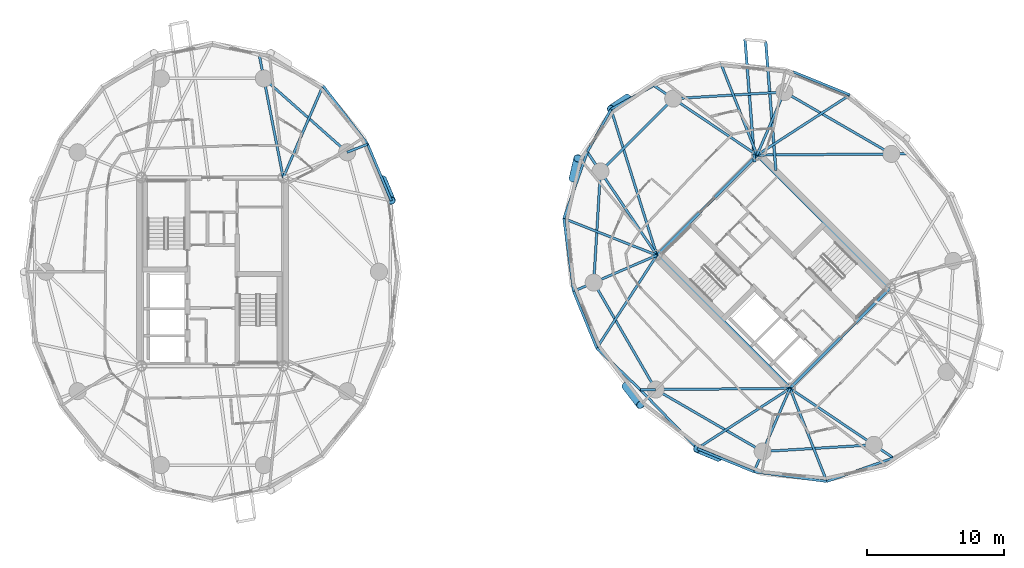
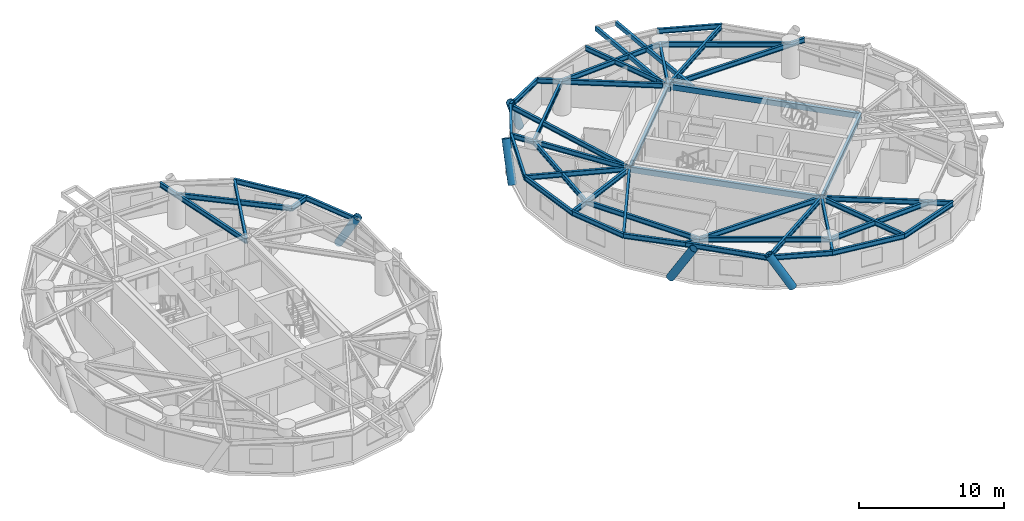
# One storey, part 4 of 17: 46 beams, 5 members.
"""IFC4 building model written with IfcOpenShell, lengths in metres."""

from ifc_helpers import new_model, si_unit, direction, frame, origin, origin_2d, place, context, subcontext, project, spatial, hollow_rectangle, hollow_circle, i_section, extrude, material, material_profile, profile_set, type_object, element, save


model = new_model("IFC4")

# Units and contexts
model_context = context("Model", 3, precision=1e-05, world=origin(), true_north=direction((0.0, 1.0)))
body_context = subcontext(model_context, "Body", "Model", "MODEL_VIEW")
ifc_project = project(units=[si_unit("LENGTHUNIT", "METRE"), si_unit("AREAUNIT", "SQUARE_METRE"), si_unit("VOLUMEUNIT", "CUBIC_METRE"), si_unit("PLANEANGLEUNIT", "RADIAN"), si_unit("MASSUNIT", "GRAM", prefix="KILO")], contexts=[model_context])

# Site, building, storey
site_placement = place(None, origin())
site = spatial("IfcSite", under=ifc_project, at=site_placement, CompositionType="ELEMENT")
building_placement = place(site_placement, origin())
building = spatial("IfcBuilding", under=site, at=building_placement, Name="Cununo Teusaquillo Station Towers", CompositionType="ELEMENT")
storey_placement = place(building_placement, frame((0.0, 0.0, 183.610107421875)))
storey = spatial("IfcBuildingStorey", under=building, at=storey_placement, Name="L58", CompositionType="ELEMENT", Elevation=183.610107421875)

# Beams
ifc_material_1 = material(Name="Steel EN 10025-2 S355J2", Category="steel")
ifc_material_profile_1 = material_profile(ifc_material_1, hollow_rectangle(XDim=0.199951171875, YDim=0.35009765625, WallThickness=0.013916015625, at=origin_2d()), Name="RHS 350x200x14")
ifc_profile_set_1 = profile_set([ifc_material_profile_1], Name="Steel EN 10025-2 S355J2")
beam_type_1 = type_object("IfcBeamType", Name="BM-BAL-CANT", PredefinedType="BEAM", material=ifc_profile_set_1)
beam_1_placement = place(storey_placement, frame((57.670166015625, 31.895751953125, 2.514892578125), z_axis=(-0.07823802751, 0.996934707517, 0.0), x_axis=(-0.996934707517, -0.07823802751, 0.0)))
element("IfcBeam", 1, at=beam_1_placement, inside=storey, type_object=beam_type_1, Name="L58 Tower B Balcony Cantilever Bracket 1A", PredefinedType="BEAM", context=body_context, shape_type="SweptSolid", body=[
    extrude(hollow_rectangle(XDim=0.199951171875, YDim=0.35009765625, WallThickness=0.013916015625, at=origin_2d()), origin(), (0.0, 0.0, 1.0), 9.458251953125),
])
beam_2_placement = place(storey_placement, frame((56.119384765625, 32.52392578125, 2.514892578125), z_axis=(-0.078230988808, 0.996935259879, 0.0), x_axis=(-0.996935259879, -0.078230988808, 0.0)))
element("IfcBeam", 2, at=beam_2_placement, inside=storey, type_object=beam_type_1, Name="L58 Tower B Balcony Cantilever Bracket 1B", PredefinedType="BEAM", context=body_context, shape_type="SweptSolid", body=[
    extrude(hollow_rectangle(XDim=0.199951171875, YDim=0.35009765625, WallThickness=0.013916015625, at=origin_2d()), origin(), (0.0, 0.0, 1.0), 8.978515625),
])
ifc_material_2 = material(Name="Steel EN 10025-2 S355J2", Category="steel")
ifc_material_profile_2 = material_profile(ifc_material_2, hollow_rectangle(XDim=0.25, YDim=0.449951171875, WallThickness=0.01611328125, at=origin_2d()), Name="RHS 450x250x16")
ifc_profile_set_2 = profile_set([ifc_material_profile_2], Name="Steel EN 10025-2 S355J2")
beam_type_2 = type_object("IfcBeamType", Name="BM-COUP-1", PredefinedType="USERDEFINED", material=ifc_profile_set_2)
for number, where, z_axis, x_axis, name in (
    (3, (58.70556640625, 15.975830078125, 2.46484375), (-0.707106781187, 0.707106781187, 0.0), (-0.707106781187, -0.707106781187, 0.0), "L58 Tower B Core Beam 1"),
    (4, (66.024169921875, 23.29443359375, 2.46484375), (-0.707106781187, 0.707106781187, 0.0), (-0.707106781187, -0.707106781187, 0.0), "L58 Tower B Core Beam 2"),
):
    element("IfcBeam", number, at=place(storey_placement, frame(where, z_axis=z_axis, x_axis=x_axis)), inside=storey, type_object=beam_type_2, Name=name, ObjectType="COUPLING BEAM", PredefinedType="USERDEFINED", context=body_context, shape_type="SweptSolid", body=[
        extrude(hollow_rectangle(XDim=0.25, YDim=0.449951171875, WallThickness=0.01611328125, at=origin_2d()), origin(), (0.0, 0.0, 1.0), 13.760009765625),
    ])
ifc_material_3 = material(Name="Steel ASTM A572 Grade 50", Category="steel")
ifc_material_profile_3 = material_profile(ifc_material_3, i_section(OverallWidth=0.180908203125, OverallDepth=0.4169921875, WebThickness=0.010986328125, FlangeThickness=0.018310546875, FilletRadius=0.012939453125, at=origin_2d()), Name="W16X57")
ifc_profile_set_3 = profile_set([ifc_material_profile_3], Name="Steel ASTM A572 Grade 50")
beam_type_3 = type_object("IfcBeamType", Name="BM-JOIST-1", PredefinedType="JOIST", material=ifc_profile_set_3)
beam_3_placement = place(storey_placement, frame((21.675048828125, 31.3798828125, 2.4814453125), z_axis=(0.397903718051, 0.917427180304, 0.0), x_axis=(-0.917427180304, 0.397903718051, 0.0)))
element("IfcBeam", 5, at=beam_3_placement, inside=storey, type_object=beam_type_3, Name="L58 Tower A Radial Spandrel Joist V03", PredefinedType="JOIST", context=body_context, shape_type="SweptSolid", body=[
    extrude(i_section(OverallWidth=0.180908203125, OverallDepth=0.4169921875, WebThickness=0.010986328125, FlangeThickness=0.018310546875, FilletRadius=0.012939453125, at=origin_2d()), origin(), (0.0, 0.0, 1.0), 7.306884765625),
])
beam_4_placement = place(storey_placement, frame((56.29443359375, 33.024169921875, 2.4814453125), z_axis=(0.839447756954, 0.543440395394, 0.0), x_axis=(-0.543440395394, 0.839447756954, 0.0)))
element("IfcBeam", 6, at=beam_4_placement, inside=storey, type_object=beam_type_3, Name="L58 Tower B Radial Spandrel Joist V01", PredefinedType="JOIST", context=body_context, shape_type="SweptSolid", body=[
    extrude(i_section(OverallWidth=0.180908203125, OverallDepth=0.4169921875, WebThickness=0.010986328125, FlangeThickness=0.018310546875, FilletRadius=0.012939453125, at=origin_2d()), origin(), (0.0, 0.0, 1.0), 8.08203125),
])
beam_5_placement = place(storey_placement, frame((56.29443359375, 33.024169921875, 2.4814453125), z_axis=(-0.367331607091, 0.93009004426, 0.0), x_axis=(-0.93009004426, -0.367331607091, 0.0)))
element("IfcBeam", 7, at=beam_5_placement, inside=storey, type_object=beam_type_3, Name="L58 Tower B Radial Spandrel Joist V03", PredefinedType="JOIST", context=body_context, shape_type="SweptSolid", body=[
    extrude(i_section(OverallWidth=0.180908203125, OverallDepth=0.4169921875, WebThickness=0.010986328125, FlangeThickness=0.018310546875, FilletRadius=0.012939453125, at=origin_2d()), origin(), (0.0, 0.0, 1.0), 7.306884765625),
])
beam_6_placement = place(storey_placement, frame((48.975830078125, 25.70556640625, 2.4814453125), z_axis=(-0.29947962656, 0.954102695351, 0.0), x_axis=(-0.954102695351, -0.29947962656, 0.0)))
element("IfcBeam", 8, at=beam_6_placement, inside=storey, type_object=beam_type_3, Name="L58 Tower B Radial Spandrel Joist V05", PredefinedType="JOIST", context=body_context, shape_type="SweptSolid", body=[
    extrude(i_section(OverallWidth=0.180908203125, OverallDepth=0.4169921875, WebThickness=0.010986328125, FlangeThickness=0.018310546875, FilletRadius=0.012939453125, at=origin_2d()), origin(), (0.0, 0.0, 1.0), 11.179931640625),
])
beam_7_placement = place(storey_placement, frame((48.975830078125, 25.70556640625, 2.4814453125), z_axis=(-0.93009004426, 0.367331607091, 0.0), x_axis=(-0.367331607091, -0.93009004426, 0.0)))
element("IfcBeam", 9, at=beam_7_placement, inside=storey, type_object=beam_type_3, Name="L58 Tower B Radial Spandrel Joist V07", PredefinedType="JOIST", context=body_context, shape_type="SweptSolid", body=[
    extrude(i_section(OverallWidth=0.180908203125, OverallDepth=0.4169921875, WebThickness=0.010986328125, FlangeThickness=0.018310546875, FilletRadius=0.012939453125, at=origin_2d()), origin(), (0.0, 0.0, 1.0), 7.306884765625),
])
for number, where, z_axis, x_axis, name in (
    (10, (48.975830078125, 25.70556640625, 2.4814453125), (-0.543440395394, -0.839447756954, 0.0), (0.839447756954, -0.543440395394, 0.0), "L58 Tower B Radial Spandrel Joist V09"),
    (11, (58.70556640625, 15.975830078125, 2.4814453125), (-0.839447756954, -0.543440395394, 0.0), (0.543440395394, -0.839447756954, 0.0), "L58 Tower B Radial Spandrel Joist V11"),
):
    element("IfcBeam", number, at=place(storey_placement, frame(where, z_axis=z_axis, x_axis=x_axis)), inside=storey, type_object=beam_type_3, Name=name, PredefinedType="JOIST", context=body_context, shape_type="SweptSolid", body=[
        extrude(i_section(OverallWidth=0.180908203125, OverallDepth=0.4169921875, WebThickness=0.010986328125, FlangeThickness=0.018310546875, FilletRadius=0.012939453125, at=origin_2d()), origin(), (0.0, 0.0, 1.0), 8.08203125),
    ])
beam_8_placement = place(storey_placement, frame((58.70556640625, 15.975830078125, 2.4814453125), z_axis=(0.367331607091, -0.93009004426, 0.0), x_axis=(0.93009004426, 0.367331607091, 0.0)))
element("IfcBeam", 12, at=beam_8_placement, inside=storey, type_object=beam_type_3, Name="L58 Tower B Radial Spandrel Joist V13", PredefinedType="JOIST", context=body_context, shape_type="SweptSolid", body=[
    extrude(i_section(OverallWidth=0.180908203125, OverallDepth=0.4169921875, WebThickness=0.010986328125, FlangeThickness=0.018310546875, FilletRadius=0.012939453125, at=origin_2d()), origin(), (0.0, 0.0, 1.0), 7.306884765625),
])
ifc_material_4 = material(Name="Steel ASTM A572 Grade 50", Category="steel")
ifc_material_profile_4 = material_profile(ifc_material_4, i_section(OverallWidth=0.2041015625, OverallDepth=0.35009765625, WebThickness=0.008544921875, FlangeThickness=0.01513671875, FilletRadius=0.011962890625, at=origin_2d()), Name="W14X48")
ifc_profile_set_4 = profile_set([ifc_material_profile_4], Name="Steel ASTM A572 Grade 50")
beam_type_4 = type_object("IfcBeamType", Name="BM-LINTEL-1", PredefinedType="LINTEL", material=ifc_profile_set_4)
for number, where, z_axis, x_axis, name in (
    (13, (58.70556640625, 15.975830078125, 2.514892578125), (0.707106781187, 0.707106781187, 0.0), (-0.707106781187, 0.707106781187, 0.0), "L58 Tower B Core Beam 3"),
    (14, (48.975830078125, 25.70556640625, 2.514892578125), (0.707106781187, 0.707106781187, 0.0), (-0.707106781187, 0.707106781187, 0.0), "L58 Tower B Core Beam 4"),
):
    element("IfcBeam", number, at=place(storey_placement, frame(where, z_axis=z_axis, x_axis=x_axis)), inside=storey, type_object=beam_type_4, Name=name, PredefinedType="LINTEL", context=body_context, shape_type="SweptSolid", body=[
        extrude(i_section(OverallWidth=0.2041015625, OverallDepth=0.35009765625, WebThickness=0.008544921875, FlangeThickness=0.01513671875, FilletRadius=0.011962890625, at=origin_2d()), origin(), (0.0, 0.0, 1.0), 10.35009765625),
    ])
ifc_material_5 = material(Name="Steel ASTM A572 Grade 50", Category="steel")
ifc_material_profile_5 = material_profile(ifc_material_5, i_section(OverallWidth=0.180908203125, OverallDepth=0.4169921875, WebThickness=0.010986328125, FlangeThickness=0.018310546875, FilletRadius=0.012939453125, at=origin_2d()), Name="W16X57")
ifc_profile_set_5 = profile_set([ifc_material_profile_5], Name="Steel ASTM A572 Grade 50")
beam_type_5 = type_object("IfcBeamType", Name="BM-RAD-G2", PredefinedType="BEAM", material=ifc_profile_set_5)
beam_9_placement = place(storey_placement, frame((26.347412109375, 33.228515625, 2.4814453125), z_axis=(0.929873737198, 0.367878829058, 0.0), x_axis=(-0.367878829058, 0.929873737198, 0.0)))
element("IfcBeam", 15, at=beam_9_placement, inside=storey, type_object=beam_type_5, Name="L58 Tower A Perimeter Overhang Girder 02B", PredefinedType="BEAM", context=body_context, shape_type="SweptSolid", body=[
    extrude(i_section(OverallWidth=0.180908203125, OverallDepth=0.4169921875, WebThickness=0.010986328125, FlangeThickness=0.018310546875, FilletRadius=0.012939453125, at=origin_2d()), origin(), (0.0, 0.0, 1.0), 1.607421875),
])
beam_10_placement = place(storey_placement, frame((21.675048828125, 31.3798828125, 2.4814453125), z_axis=(-0.191557018874, 0.981481486591, 0.0), x_axis=(-0.981481486591, -0.191557018874, 0.0)))
element("IfcBeam", 16, at=beam_10_placement, inside=storey, type_object=beam_type_5, Name="L58 Tower A Continuous Overhanging Radial Girder 03", PredefinedType="BEAM", context=body_context, shape_type="SweptSolid", body=[
    extrude(i_section(OverallWidth=0.180908203125, OverallDepth=0.4169921875, WebThickness=0.010986328125, FlangeThickness=0.018310546875, FilletRadius=0.012939453125, at=origin_2d()), origin(), (0.0, 0.0, 1.0), 9.097412109375),
])
beam_11_placement = place(storey_placement, frame((56.29443359375, 33.024169921875, 2.4814453125), z_axis=(0.999964410964, 0.008436634764, 0.0), x_axis=(-0.008436634764, 0.999964410964, 0.0)))
element("IfcBeam", 17, at=beam_11_placement, inside=storey, type_object=beam_type_5, Name="L58 Tower B Continuous Overhanging Radial Girder 01", PredefinedType="BEAM", context=body_context, shape_type="SweptSolid", body=[
    extrude(i_section(OverallWidth=0.180908203125, OverallDepth=0.4169921875, WebThickness=0.010986328125, FlangeThickness=0.018310546875, FilletRadius=0.012939453125, at=origin_2d()), origin(), (0.0, 0.0, 1.0), 10.938720703125),
])
beam_12_placement = place(storey_placement, frame((56.29443359375, 33.024169921875, 2.4814453125), z_axis=(0.397346986387, 0.917668443616, 0.0), x_axis=(-0.917668443616, 0.397346986387, 0.0)))
element("IfcBeam", 18, at=beam_12_placement, inside=storey, type_object=beam_type_5, Name="L58 Tower B Radial Girder 02A", PredefinedType="BEAM", context=body_context, shape_type="SweptSolid", body=[
    extrude(i_section(OverallWidth=0.180908203125, OverallDepth=0.4169921875, WebThickness=0.010986328125, FlangeThickness=0.018310546875, FilletRadius=0.012939453125, at=origin_2d()), origin(), (0.0, 0.0, 1.0), 5.02490234375),
])
for number, where, z_axis, x_axis, name in (
    (19, (56.29443359375, 33.024169921875, 2.4814453125), (-0.829456719326, 0.558570989907, 0.0), (-0.558570989907, -0.829456719326, 0.0), "L58 Tower B Continuous Overhanging Radial Girder 03"),
    (20, (48.975830078125, 25.70556640625, 2.4814453125), (-0.558570989907, 0.829456719326, 0.0), (-0.829456719326, -0.558570989907, 0.0), "L58 Tower B Continuous Overhanging Radial Girder 04"),
):
    element("IfcBeam", number, at=place(storey_placement, frame(where, z_axis=z_axis, x_axis=x_axis)), inside=storey, type_object=beam_type_5, Name=name, PredefinedType="BEAM", context=body_context, shape_type="SweptSolid", body=[
        extrude(i_section(OverallWidth=0.180908203125, OverallDepth=0.4169921875, WebThickness=0.010986328125, FlangeThickness=0.018310546875, FilletRadius=0.012939453125, at=origin_2d()), origin(), (0.0, 0.0, 1.0), 9.097412109375),
    ])
beam_13_placement = place(storey_placement, frame((48.975830078125, 25.70556640625, 2.4814453125), z_axis=(-0.917664823247, -0.397355347486, 0.0), x_axis=(0.397355347486, -0.917664823247, 0.0)))
element("IfcBeam", 21, at=beam_13_placement, inside=storey, type_object=beam_type_5, Name="L58 Tower B Continuous Overhanging Radial Girder 05", PredefinedType="BEAM", context=body_context, shape_type="SweptSolid", body=[
    extrude(i_section(OverallWidth=0.180908203125, OverallDepth=0.4169921875, WebThickness=0.010986328125, FlangeThickness=0.018310546875, FilletRadius=0.012939453125, at=origin_2d()), origin(), (0.0, 0.0, 1.0), 6.632080078125),
])
beam_14_placement = place(storey_placement, frame((58.70556640625, 15.975830078125, 2.4814453125), z_axis=(-0.999964431382, -0.008434214327, 0.0), x_axis=(0.008434214327, -0.999964431382, 0.0)))
element("IfcBeam", 22, at=beam_14_placement, inside=storey, type_object=beam_type_5, Name="L58 Tower B Radial Girder 06A", PredefinedType="BEAM", context=body_context, shape_type="SweptSolid", body=[
    extrude(i_section(OverallWidth=0.180908203125, OverallDepth=0.4169921875, WebThickness=0.010986328125, FlangeThickness=0.018310546875, FilletRadius=0.012939453125, at=origin_2d()), origin(), (0.0, 0.0, 1.0), 9.812744140625),
])
beam_15_placement = place(storey_placement, frame((48.89306640625, 15.89306640625, 2.4814453125), z_axis=(-0.99996423274, -0.008457732613, 0.0), x_axis=(0.008457732613, -0.99996423274, 0.0)))
element("IfcBeam", 23, at=beam_15_placement, inside=storey, type_object=beam_type_5, Name="L58 Tower B Perimeter Overhang Girder 06B", PredefinedType="BEAM", context=body_context, shape_type="SweptSolid", body=[
    extrude(i_section(OverallWidth=0.180908203125, OverallDepth=0.4169921875, WebThickness=0.010986328125, FlangeThickness=0.018310546875, FilletRadius=0.012939453125, at=origin_2d()), origin(), (0.0, 0.0, 1.0), 1.125732421875),
])
beam_16_placement = place(storey_placement, frame((58.70556640625, 15.975830078125, 2.4814453125), z_axis=(-0.397355347486, -0.917664823247, 0.0), x_axis=(0.917664823247, -0.397355347486, 0.0)))
element("IfcBeam", 24, at=beam_16_placement, inside=storey, type_object=beam_type_5, Name="L58 Tower B Continuous Overhanging Radial Girder 07", PredefinedType="BEAM", context=body_context, shape_type="SweptSolid", body=[
    extrude(i_section(OverallWidth=0.180908203125, OverallDepth=0.4169921875, WebThickness=0.010986328125, FlangeThickness=0.018310546875, FilletRadius=0.012939453125, at=origin_2d()), origin(), (0.0, 0.0, 1.0), 6.632080078125),
])
beam_17_placement = place(storey_placement, frame((58.70556640625, 15.975830078125, 2.4814453125), z_axis=(0.829456719326, -0.558570989907, 0.0), x_axis=(0.558570989907, 0.829456719326, 0.0)))
element("IfcBeam", 25, at=beam_17_placement, inside=storey, type_object=beam_type_5, Name="L58 Tower B Continuous Overhanging Radial Girder 08", PredefinedType="BEAM", context=body_context, shape_type="SweptSolid", body=[
    extrude(i_section(OverallWidth=0.180908203125, OverallDepth=0.4169921875, WebThickness=0.010986328125, FlangeThickness=0.018310546875, FilletRadius=0.012939453125, at=origin_2d()), origin(), (0.0, 0.0, 1.0), 9.097412109375),
])
ifc_material_6 = material(Name="Steel ASTM A572 Grade 50", Category="steel")
ifc_material_profile_6 = material_profile(ifc_material_6, i_section(OverallWidth=0.180908203125, OverallDepth=0.4169921875, WebThickness=0.010986328125, FlangeThickness=0.018310546875, FilletRadius=0.012939453125, at=origin_2d()), Name="W16X57")
ifc_profile_set_6 = profile_set([ifc_material_profile_6], Name="Steel ASTM A572 Grade 50")
beam_type_6 = type_object("IfcBeamType", Name="BM-RING-Z3", PredefinedType="SPANDREL", material=ifc_profile_set_6)
beam_18_placement = place(storey_placement, frame((26.347412109375, 33.228515625, 2.4814453125), z_axis=(-0.74832120039, 0.66333655187, 0.0), x_axis=(-0.66333655187, -0.74832120039, 0.0)))
element("IfcBeam", 26, at=beam_18_placement, inside=storey, type_object=beam_type_6, Name="L58 Tower A Structural Column Ring Girder 02", PredefinedType="SPANDREL", context=body_context, shape_type="SweptSolid", body=[
    extrude(i_section(OverallWidth=0.180908203125, OverallDepth=0.4169921875, WebThickness=0.010986328125, FlangeThickness=0.018310546875, FilletRadius=0.012939453125, at=origin_2d()), origin(), (0.0, 0.0, 1.0), 8.1328125),
])
beam_19_placement = place(storey_placement, frame((29.577880859375, 29.6884765625, 2.4814453125), z_axis=(-0.387360300858, 0.921928412253, 0.0), x_axis=(-0.921928412253, -0.387360300858, 0.0)))
element("IfcBeam", 27, at=beam_19_placement, inside=storey, type_object=beam_type_6, Name="L58 Tower A Spandrel Ring Beam 02", PredefinedType="SPANDREL", context=body_context, shape_type="SweptSolid", body=[
    extrude(i_section(OverallWidth=0.180908203125, OverallDepth=0.4169921875, WebThickness=0.010986328125, FlangeThickness=0.018310546875, FilletRadius=0.012939453125, at=origin_2d()), origin(), (0.0, 0.0, 1.0), 4.481201171875),
])
beam_20_placement = place(storey_placement, frame((27.842041015625, 33.81982421875, 2.4814453125), z_axis=(-0.607340349092, 0.794441753916, 0.0), x_axis=(-0.794441753916, -0.607340349092, 0.0)))
element("IfcBeam", 28, at=beam_20_placement, inside=storey, type_object=beam_type_6, Name="L58 Tower A Spandrel Ring Beam 03", PredefinedType="SPANDREL", context=body_context, shape_type="SweptSolid", body=[
    extrude(i_section(OverallWidth=0.180908203125, OverallDepth=0.4169921875, WebThickness=0.010986328125, FlangeThickness=0.018310546875, FilletRadius=0.012939453125, at=origin_2d()), origin(), (0.0, 0.0, 1.0), 5.366943359375),
])
beam_21_placement = place(storey_placement, frame((66.10693359375, 33.10693359375, 2.4814453125), z_axis=(-0.865267103202, 0.501311121078, 0.0), x_axis=(-0.501311121078, -0.865267103202, 0.0)))
element("IfcBeam", 29, at=beam_21_placement, inside=storey, type_object=beam_type_6, Name="L58 Tower B Structural Column Ring Girder 01", PredefinedType="SPANDREL", context=body_context, shape_type="SweptSolid", body=[
    extrude(i_section(OverallWidth=0.180908203125, OverallDepth=0.4169921875, WebThickness=0.010986328125, FlangeThickness=0.018310546875, FilletRadius=0.012939453125, at=origin_2d()), origin(), (0.0, 0.0, 1.0), 9.032958984375),
])
beam_22_placement = place(storey_placement, frame((58.291015625, 37.63525390625, 2.4814453125), z_axis=(-0.998190567048, -0.06012979176, 0.0), x_axis=(0.06012979176, -0.998190567048, 0.0)))
element("IfcBeam", 30, at=beam_22_placement, inside=storey, type_object=beam_type_6, Name="L58 Tower B Structural Column Ring Girder 02", PredefinedType="SPANDREL", context=body_context, shape_type="SweptSolid", body=[
    extrude(i_section(OverallWidth=0.180908203125, OverallDepth=0.4169921875, WebThickness=0.010986328125, FlangeThickness=0.018310546875, FilletRadius=0.012939453125, at=origin_2d()), origin(), (0.0, 0.0, 1.0), 8.132568359375),
])
beam_23_placement = place(storey_placement, frame((50.173095703125, 37.146240234375, 2.4814453125), z_axis=(-0.707106781187, -0.707106781187, 0.0), x_axis=(0.707106781187, -0.707106781187, 0.0)))
element("IfcBeam", 31, at=beam_23_placement, inside=storey, type_object=beam_type_6, Name="L58 Tower B Structural Column Ring Girder 03", PredefinedType="SPANDREL", context=body_context, shape_type="SweptSolid", body=[
    extrude(i_section(OverallWidth=0.180908203125, OverallDepth=0.4169921875, WebThickness=0.010986328125, FlangeThickness=0.018310546875, FilletRadius=0.012939453125, at=origin_2d()), origin(), (0.0, 0.0, 1.0), 7.522705078125),
])
beam_24_placement = place(storey_placement, frame((44.853759765625, 31.826904296875, 2.4814453125), z_axis=(-0.06012979176, -0.998190567048, 0.0), x_axis=(0.998190567048, -0.06012979176, 0.0)))
element("IfcBeam", 32, at=beam_24_placement, inside=storey, type_object=beam_type_6, Name="L58 Tower B Structural Column Ring Girder 04", PredefinedType="SPANDREL", context=body_context, shape_type="SweptSolid", body=[
    extrude(i_section(OverallWidth=0.180908203125, OverallDepth=0.4169921875, WebThickness=0.010986328125, FlangeThickness=0.018310546875, FilletRadius=0.012939453125, at=origin_2d()), origin(), (0.0, 0.0, 1.0), 8.132568359375),
])
for number, where, z_axis, x_axis, name in (
    (33, (44.36474609375, 23.708984375, 2.4814453125), (0.501311121078, -0.865267103202, 0.0), (0.865267103202, 0.501311121078, 0.0), "L58 Tower B Structural Column Ring Girder 05"),
    (34, (48.89306640625, 15.89306640625, 2.4814453125), (0.865267103202, -0.501311121078, 0.0), (0.501311121078, 0.865267103202, 0.0), "L58 Tower B Structural Column Ring Girder 06"),
):
    element("IfcBeam", number, at=place(storey_placement, frame(where, z_axis=z_axis, x_axis=x_axis)), inside=storey, type_object=beam_type_6, Name=name, PredefinedType="SPANDREL", context=body_context, shape_type="SweptSolid", body=[
        extrude(i_section(OverallWidth=0.180908203125, OverallDepth=0.4169921875, WebThickness=0.010986328125, FlangeThickness=0.018310546875, FilletRadius=0.012939453125, at=origin_2d()), origin(), (0.0, 0.0, 1.0), 9.032958984375),
    ])
beam_25_placement = place(storey_placement, frame((56.708984375, 11.36474609375, 2.4814453125), z_axis=(0.998190567048, 0.06012979176, 0.0), x_axis=(-0.06012979176, 0.998190567048, 0.0)))
element("IfcBeam", 35, at=beam_25_placement, inside=storey, type_object=beam_type_6, Name="L58 Tower B Structural Column Ring Girder 07", PredefinedType="SPANDREL", context=body_context, shape_type="SweptSolid", body=[
    extrude(i_section(OverallWidth=0.180908203125, OverallDepth=0.4169921875, WebThickness=0.010986328125, FlangeThickness=0.018310546875, FilletRadius=0.012939453125, at=origin_2d()), origin(), (0.0, 0.0, 1.0), 8.132568359375),
])
beam_26_placement = place(storey_placement, frame((63.078857421875, 37.416259765625, 2.4814453125), z_axis=(-0.925823525235, 0.377956082264, 0.0), x_axis=(-0.377956082264, -0.925823525235, 0.0)))
element("IfcBeam", 36, at=beam_26_placement, inside=storey, type_object=beam_type_6, Name="L58 Tower B Spandrel Ring Beam 02", PredefinedType="SPANDREL", context=body_context, shape_type="SweptSolid", body=[
    extrude(i_section(OverallWidth=0.180908203125, OverallDepth=0.4169921875, WebThickness=0.010986328125, FlangeThickness=0.018310546875, FilletRadius=0.012939453125, at=origin_2d()), origin(), (0.0, 0.0, 1.0), 4.481689453125),
])
for number, where, z_axis, x_axis, name in (
    (37, (48.74853515625, 38.105712890625, 2.4814453125), (-0.874205659621, -0.485555830659, 0.0), (0.485555830659, -0.874205659621, 0.0), "L58 Tower B Spandrel Ring Beam 05"),
    (38, (45.627685546875, 36.372314453125, 2.4814453125), (-0.485555830659, -0.874205659621, 0.0), (0.874205659621, -0.485555830659, 0.0), "L58 Tower B Spandrel Ring Beam 06"),
):
    element("IfcBeam", number, at=place(storey_placement, frame(where, z_axis=z_axis, x_axis=x_axis)), inside=storey, type_object=beam_type_6, Name=name, PredefinedType="SPANDREL", context=body_context, shape_type="SweptSolid", body=[
        extrude(i_section(OverallWidth=0.180908203125, OverallDepth=0.4169921875, WebThickness=0.010986328125, FlangeThickness=0.018310546875, FilletRadius=0.012939453125, at=origin_2d()), origin(), (0.0, 0.0, 1.0), 3.56982421875),
    ])
beam_27_placement = place(storey_placement, frame((43.894287109375, 33.25146484375, 2.4814453125), z_axis=(-0.332589733158, -0.943071614141, 0.0), x_axis=(0.943071614141, -0.332589733158, 0.0)))
element("IfcBeam", 39, at=beam_27_placement, inside=storey, type_object=beam_type_6, Name="L58 Tower B Spandrel Ring Beam 07", PredefinedType="SPANDREL", context=body_context, shape_type="SweptSolid", body=[
    extrude(i_section(OverallWidth=0.180908203125, OverallDepth=0.4169921875, WebThickness=0.010986328125, FlangeThickness=0.018310546875, FilletRadius=0.012939453125, at=origin_2d()), origin(), (0.0, 0.0, 1.0), 5.1552734375),
])
beam_28_placement = place(storey_placement, frame((42.1796875, 28.3896484375, 2.4814453125), z_axis=(0.132339532096, -0.991204443213, 0.0), x_axis=(0.991204443213, 0.132339532096, 0.0)))
element("IfcBeam", 40, at=beam_28_placement, inside=storey, type_object=beam_type_6, Name="L58 Tower B Spandrel Ring Beam 08", PredefinedType="SPANDREL", context=body_context, shape_type="SweptSolid", body=[
    extrude(i_section(OverallWidth=0.180908203125, OverallDepth=0.4169921875, WebThickness=0.010986328125, FlangeThickness=0.018310546875, FilletRadius=0.012939453125, at=origin_2d()), origin(), (0.0, 0.0, 1.0), 5.366455078125),
])
beam_29_placement = place(storey_placement, frame((42.889892578125, 23.0703125, 2.4814453125), z_axis=(0.377956082264, -0.925823525235, 0.0), x_axis=(0.925823525235, 0.377956082264, 0.0)))
element("IfcBeam", 41, at=beam_29_placement, inside=storey, type_object=beam_type_6, Name="L58 Tower B Spandrel Ring Beam 09", PredefinedType="SPANDREL", context=body_context, shape_type="SweptSolid", body=[
    extrude(i_section(OverallWidth=0.180908203125, OverallDepth=0.4169921875, WebThickness=0.010986328125, FlangeThickness=0.018310546875, FilletRadius=0.012939453125, at=origin_2d()), origin(), (0.0, 0.0, 1.0), 4.481689453125),
])
beam_30_placement = place(storey_placement, frame((44.583740234375, 18.921142578125, 2.4814453125), z_axis=(0.723501643849, -0.690322657421, 0.0), x_axis=(0.690322657421, 0.723501643849, 0.0)))
element("IfcBeam", 42, at=beam_30_placement, inside=storey, type_object=beam_type_6, Name="L58 Tower B Spandrel Ring Beam 10", PredefinedType="SPANDREL", context=body_context, shape_type="SweptSolid", body=[
    extrude(i_section(OverallWidth=0.180908203125, OverallDepth=0.4169921875, WebThickness=0.010986328125, FlangeThickness=0.018310546875, FilletRadius=0.012939453125, at=origin_2d()), origin(), (0.0, 0.0, 1.0), 4.400146484375),
])
beam_31_placement = place(storey_placement, frame((47.767333984375, 15.883544921875, 2.4814453125), z_axis=(0.694791256552, -0.719211450005, 0.0), x_axis=(0.719211450005, 0.694791256552, 0.0)))
element("IfcBeam", 43, at=beam_31_placement, inside=storey, type_object=beam_type_6, Name="L58 Tower B Spandrel Ring Beam 11", PredefinedType="SPANDREL", context=body_context, shape_type="SweptSolid", body=[
    extrude(i_section(OverallWidth=0.180908203125, OverallDepth=0.4169921875, WebThickness=0.010986328125, FlangeThickness=0.018310546875, FilletRadius=0.012939453125, at=origin_2d()), origin(), (0.0, 0.0, 1.0), 5.978515625),
])
beam_32_placement = place(storey_placement, frame((51.921142578125, 11.583740234375, 2.4814453125), z_axis=(0.925823525235, -0.377956082264, 0.0), x_axis=(0.377956082264, 0.925823525235, 0.0)))
element("IfcBeam", 44, at=beam_32_placement, inside=storey, type_object=beam_type_6, Name="L58 Tower B Spandrel Ring Beam 12", PredefinedType="SPANDREL", context=body_context, shape_type="SweptSolid", body=[
    extrude(i_section(OverallWidth=0.180908203125, OverallDepth=0.4169921875, WebThickness=0.010986328125, FlangeThickness=0.018310546875, FilletRadius=0.012939453125, at=origin_2d()), origin(), (0.0, 0.0, 1.0), 4.481689453125),
])
beam_33_placement = place(storey_placement, frame((56.0703125, 9.889892578125, 2.4814453125), z_axis=(0.991204443213, -0.132339532096, 0.0), x_axis=(0.132339532096, 0.991204443213, 0.0)))
element("IfcBeam", 45, at=beam_33_placement, inside=storey, type_object=beam_type_6, Name="L58 Tower B Spandrel Ring Beam 13", PredefinedType="SPANDREL", context=body_context, shape_type="SweptSolid", body=[
    extrude(i_section(OverallWidth=0.180908203125, OverallDepth=0.4169921875, WebThickness=0.010986328125, FlangeThickness=0.018310546875, FilletRadius=0.012939453125, at=origin_2d()), origin(), (0.0, 0.0, 1.0), 5.366455078125),
])
beam_34_placement = place(storey_placement, frame((61.3896484375, 9.1796875, 2.4814453125), z_axis=(0.943071614141, 0.332589733158, 0.0), x_axis=(-0.332589733158, 0.943071614141, 0.0)))
element("IfcBeam", 46, at=beam_34_placement, inside=storey, type_object=beam_type_6, Name="L58 Tower B Spandrel Ring Beam 14", PredefinedType="SPANDREL", context=body_context, shape_type="SweptSolid", body=[
    extrude(i_section(OverallWidth=0.180908203125, OverallDepth=0.4169921875, WebThickness=0.010986328125, FlangeThickness=0.018310546875, FilletRadius=0.012939453125, at=origin_2d()), origin(), (0.0, 0.0, 1.0), 5.1552734375),
])

# Members
ifc_material_7 = material(Name="Steel EN 10025-2 S355J2", Category="steel")
ifc_material_profile_7 = material_profile(ifc_material_7, hollow_circle(Radius=0.304931640625, WallThickness=0.02001953125, at=origin_2d()), Name="CHS 610x20")
ifc_profile_set_7 = profile_set([ifc_material_profile_7], Name="Steel EN 10025-2 S355J2")
member_type = type_object("IfcMemberType", Name="MBR-DIAG-Z3", PredefinedType="BRACE", material=ifc_profile_set_7)
member_1_placement = place(storey_placement, frame((28.927001953125, 31.24853515625, -0.14013671875), z_axis=(0.193410839883, -0.463576619225, 0.864690097737), x_axis=(0.922897355367, 0.38504606407, 0.0)))
element("IfcMember", 47, at=member_1_placement, inside=storey, type_object=member_type, Name="L58 Tower A Folded-Zigzag Diagrid Tube C01", PredefinedType="BRACE", context=body_context, shape_type="SweptSolid", body=[
    extrude(hollow_circle(Radius=0.304931640625, WallThickness=0.02001953125, at=origin_2d()), origin(), (0.0, 0.0, 1.0), 3.365234375),
])
member_2_placement = place(storey_placement, frame((46.822998046875, 37.18017578125, -0.14013671875), z_axis=(-0.368023716822, -0.248731715475, 0.895930286112), x_axis=(0.559961028799, -0.828518947416, 0.0)))
element("IfcMember", 48, at=member_2_placement, inside=storey, type_object=member_type, Name="L58 Tower B Folded-Zigzag Diagrid Tube C04", PredefinedType="BRACE", context=body_context, shape_type="SweptSolid", body=[
    extrude(hollow_circle(Radius=0.304931640625, WallThickness=0.02001953125, at=origin_2d()), origin(), (0.0, 0.0, 1.0), 3.247802734375),
])
member_3_placement = place(storey_placement, frame((42.86279296875, 31.32080078125, -0.14013671875), z_axis=(0.104181964314, 0.447430982649, 0.888229494037), x_axis=(-0.973946400459, 0.226778325756, 0.0)))
element("IfcMember", 49, at=member_3_placement, inside=storey, type_object=member_type, Name="L58 Tower B Folded-Zigzag Diagrid Tube C06", PredefinedType="BRACE", context=body_context, shape_type="SweptSolid", body=[
    extrude(hollow_circle(Radius=0.304931640625, WallThickness=0.02001953125, at=origin_2d()), origin(), (0.0, 0.0, 1.0), 3.276123046875),
])
member_4_placement = place(storey_placement, frame((46.71240234375, 16.158203125, -0.14013671875), z_axis=(0.313696402686, -0.407251191282, 0.857753480985), x_axis=(0.792223093087, 0.610231571438, 0.0)))
element("IfcMember", 50, at=member_4_placement, inside=storey, type_object=member_type, Name="L58 Tower B Folded-Zigzag Diagrid Tube C09", PredefinedType="BRACE", context=body_context, shape_type="SweptSolid", body=[
    extrude(hollow_circle(Radius=0.304931640625, WallThickness=0.02001953125, at=origin_2d()), origin(), (0.0, 0.0, 1.0), 3.392578125),
])
member_5_placement = place(storey_placement, frame((53.48486328125, 10.94091796875, -0.14013671875), z_axis=(-0.464643970339, 0.19100820826, 0.86465128532), x_axis=(-0.380212289499, -0.924899245818, 0.0)))
element("IfcMember", 51, at=member_5_placement, inside=storey, type_object=member_type, Name="L58 Tower B Folded-Zigzag Diagrid Tube C11", PredefinedType="BRACE", context=body_context, shape_type="SweptSolid", body=[
    extrude(hollow_circle(Radius=0.304931640625, WallThickness=0.02001953125, at=origin_2d()), origin(), (0.0, 0.0, 1.0), 3.365478515625),
])

save(model, "model.ifc")
